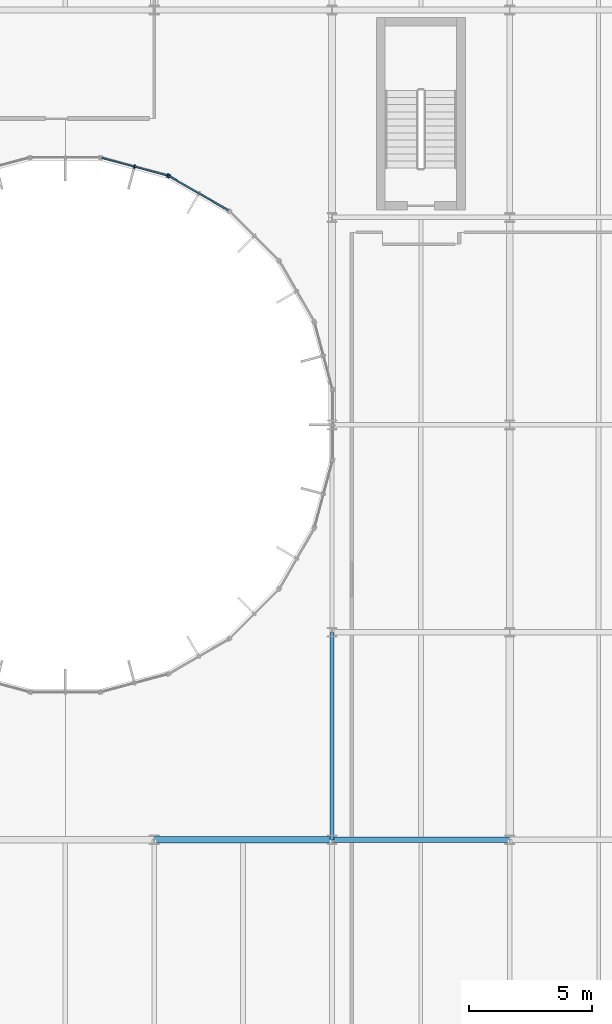
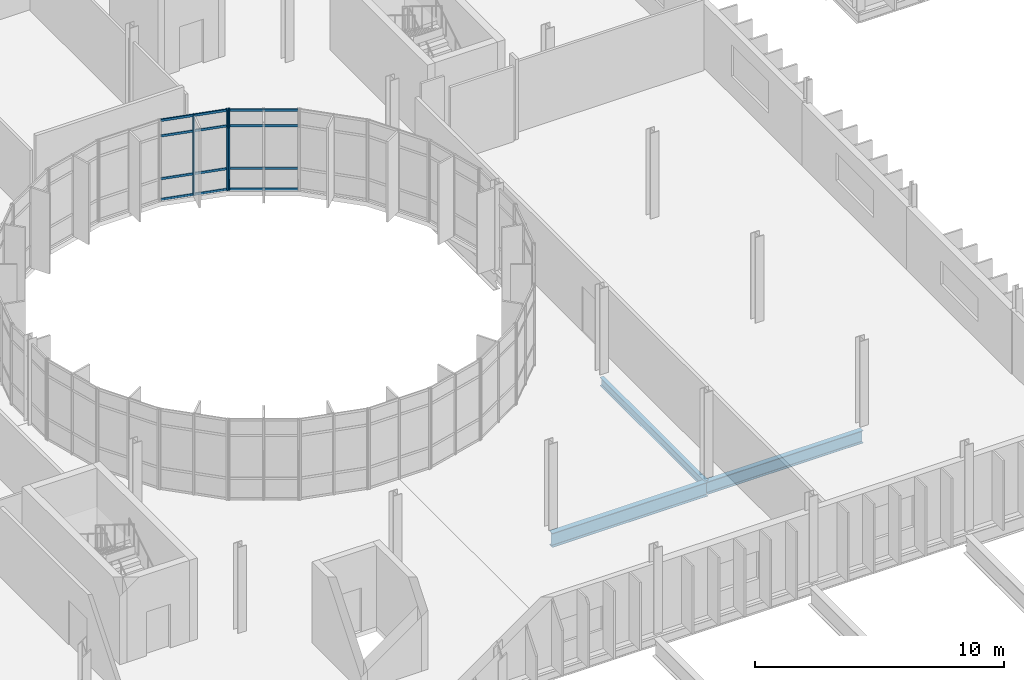
# One storey, part 46 of 119: 11 members, 3 beams, 2 elements without a shape of their own.
"""IFC4 building model written with IfcOpenShell, lengths in metres."""

from ifc_helpers import new_model, si_unit, direction, frame, origin, origin_2d, place, context, subcontext, project, spatial, rectangle, i_section, extrude, material, material_profile, profile_set, type_object, element, aggregate, save


model = new_model("IFC4")

# Units and contexts
model_context = context("Model", 3, precision=1e-05, world=origin(), true_north=direction((0.0, 1.0)))
body_context = subcontext(model_context, "Body", "Model", "MODEL_VIEW")
ifc_project = project(units=[si_unit("LENGTHUNIT", "METRE"), si_unit("AREAUNIT", "SQUARE_METRE"), si_unit("VOLUMEUNIT", "CUBIC_METRE"), si_unit("PLANEANGLEUNIT", "RADIAN"), si_unit("MASSUNIT", "GRAM", prefix="KILO")], contexts=[model_context])

# Site, building, storey
site_placement = place(None, origin())
site = spatial("IfcSite", under=ifc_project, at=site_placement, CompositionType="ELEMENT")
building_placement = place(site_placement, origin())
building = spatial("IfcBuilding", under=site, at=building_placement, Name="Qelthora Terrace Specialist Clinic", CompositionType="ELEMENT")
storey_placement = place(building_placement, frame((0.0, 0.0, 4.800048828125)))
storey = spatial("IfcBuildingStorey", under=building, at=storey_placement, Name="L01", CompositionType="ELEMENT", Elevation=4.800048828125)

# Beams
ifc_material_1 = material(Name="Steel S355", Category="steel")
ifc_material_profile_1 = material_profile(ifc_material_1, i_section(OverallWidth=0.179931640625, OverallDepth=0.4130859375, WebThickness=0.009765625, FlangeThickness=0.01611328125, FilletRadius=0.011962890625, at=origin_2d()), Name="W410X75")
ifc_profile_set_1 = profile_set([ifc_material_profile_1], Name="Steel S355")
beam_type_1 = type_object("IfcBeamType", Name="BM-W410X75", PredefinedType="BEAM", material=ifc_profile_set_1)
beam_1_placement = place(storey_placement, frame((36.0, 67.199951171875, -0.45654296875), z_axis=(0.0, 1.0, 0.0), x_axis=(-1.0, 0.0, 0.0)))
element("IfcBeam", 1, at=beam_1_placement, inside=storey, type_object=beam_type_1, Name="Girder BMY-L01-0399", PredefinedType="BEAM", context=body_context, shape_type="SweptSolid", body=[
    extrude(i_section(OverallWidth=0.179931640625, OverallDepth=0.4130859375, WebThickness=0.009765625, FlangeThickness=0.01611328125, FilletRadius=0.011962890625, at=origin_2d()), origin(), (0.0, 0.0, 1.0), 8.400146484375),
])
ifc_material_profile_2 = material_profile(ifc_material_1, i_section(OverallWidth=0.22998046875, OverallDepth=0.616943359375, WebThickness=0.01318359375, FlangeThickness=0.022216796875, FilletRadius=0.01611328125, at=origin_2d()), Name="W610X140")
ifc_profile_set_2 = profile_set([ifc_material_profile_2], Name="Steel S355")
beam_type_2 = type_object("IfcBeamType", Name="BM-W610X140", PredefinedType="BEAM", material=ifc_profile_set_2)
beam_2_placement = place(storey_placement, frame((36.0, 67.199951171875, -0.55859375), z_axis=(1.0, 0.0, 0.0), x_axis=(0.0, 1.0, 0.0)))
element("IfcBeam", 2, at=beam_2_placement, inside=storey, type_object=beam_type_2, Name="Girder BMX-L01-0255", PredefinedType="BEAM", context=body_context, shape_type="SweptSolid", body=[
    extrude(i_section(OverallWidth=0.22998046875, OverallDepth=0.616943359375, WebThickness=0.01318359375, FlangeThickness=0.022216796875, FilletRadius=0.01611328125, at=origin_2d()), origin(), (0.0, 0.0, 1.0), 7.199951171875),
])
ifc_material_profile_3 = material_profile(ifc_material_1, i_section(OverallWidth=0.25390625, OverallDepth=0.68798828125, WebThickness=0.01318359375, FlangeThickness=0.02099609375, FilletRadius=0.01806640625, at=origin_2d()), Name="W690X152")
ifc_profile_set_3 = profile_set([ifc_material_profile_3], Name="Steel S355")
beam_type_3 = type_object("IfcBeamType", Name="BM-W690X152", PredefinedType="BEAM", material=ifc_profile_set_3)
beam_3_placement = place(storey_placement, frame((28.800048828125, 67.199951171875, -0.593994140625), z_axis=(1.0, 0.0, 0.0), x_axis=(0.0, 1.0, 0.0)))
element("IfcBeam", 3, at=beam_3_placement, inside=storey, type_object=beam_type_3, Name="Girder BMX-L01-0254", PredefinedType="BEAM", context=body_context, shape_type="SweptSolid", body=[
    extrude(i_section(OverallWidth=0.25390625, OverallDepth=0.68798828125, WebThickness=0.01318359375, FlangeThickness=0.02099609375, FilletRadius=0.01806640625, at=origin_2d()), origin(), (0.0, 0.0, 1.0), 7.199951171875),
])

# Curtain wall, member
ifc_material_2 = material(Name="Aluminium anodized bronze", Category="aluminium")
curtain_wall_type = type_object("IfcCurtainWallType", Name="CW-CRTW-UPP", PredefinedType="NOTDEFINED", material=ifc_material_2)
curtain_wall_1_placement = place(storey_placement, origin())
curtain_wall_1 = element("IfcCurtainWall", 4, at=curtain_wall_1_placement, inside=storey, type_object=curtain_wall_type, Name="Curtain wall CW-CW-L01-04", PredefinedType="NOTDEFINED")
ifc_material_profile_4 = material_profile(ifc_material_2, rectangle(XDim=0.06005859375, YDim=0.14990234375, at=origin_2d()), Name="CWM60X150")
ifc_profile_set_4 = profile_set([ifc_material_profile_4], Name="Aluminium anodized bronze")
member_type_1 = type_object("IfcMemberType", Name="CWM-60X150", PredefinedType="MULLION", material=ifc_profile_set_4)
member_1_placement = place(storey_placement, frame((29.410400390625, 94.07177734375, 0.0), z_axis=(0.0, 0.0, 1.0), x_axis=(-0.866025635896, 0.499999597971, 0.0)))
member_1 = element("IfcMember", 5, at=member_1_placement, type_object=member_type_1, Name="CW-CW-L01-04 mullion 3", PredefinedType="MULLION", context=body_context, shape_type="SweptSolid", body=[
    extrude(rectangle(XDim=0.06005859375, YDim=0.14990234375, at=origin_2d()), origin(), (0.0, 0.0, 1.0), 3.945068359375),
])

# Curtain wall, members
curtain_wall_2_placement = place(storey_placement, origin())
curtain_wall_2 = element("IfcCurtainWall", 6, at=curtain_wall_2_placement, inside=storey, type_object=curtain_wall_type, Name="Curtain wall CW-CW-L01-05", PredefinedType="NOTDEFINED")
member_2_placement = place(storey_placement, frame((29.3447265625, 94.098876953125, 0.0), z_axis=(0.0, 0.0, 1.0), x_axis=(-0.96592547477, 0.258820356987, 0.0)))
member_2 = element("IfcMember", 7, at=member_2_placement, type_object=member_type_1, Name="CW-CW-L01-05 mullion 1", PredefinedType="MULLION", context=body_context, shape_type="SweptSolid", body=[
    extrude(rectangle(XDim=0.06005859375, YDim=0.14990234375, at=origin_2d()), origin(), (0.0, 0.0, 1.0), 3.945068359375),
])
member_3_placement = place(storey_placement, frame((28.00244140625, 94.458740234375, 0.0), z_axis=(0.0, 0.0, 1.0), x_axis=(-0.96592547477, 0.258820356987, 0.0)))
member_3 = element("IfcMember", 8, at=member_3_placement, type_object=member_type_1, Name="CW-CW-L01-05 mullion 2", PredefinedType="MULLION", context=body_context, shape_type="SweptSolid", body=[
    extrude(rectangle(XDim=0.06005859375, YDim=0.14990234375, at=origin_2d()), origin(), (0.0, 0.0, 1.0), 3.945068359375),
])

# Member
ifc_material_profile_5 = material_profile(ifc_material_2, rectangle(XDim=0.06005859375, YDim=0.110107421875, at=origin_2d()), Name="CWT60X110")
ifc_profile_set_5 = profile_set([ifc_material_profile_5], Name="Aluminium anodized bronze")
member_type_2 = type_object("IfcMemberType", Name="CWT-60X110", PredefinedType="USERDEFINED", material=ifc_profile_set_5)
member_4_placement = place(storey_placement, frame((31.800048828125, 92.692138671875, 0.0400390625), z_axis=(-0.866029747927, 0.499992475648, 0.0), x_axis=(-0.499992475648, -0.866029747927, 0.0)))
member_4 = element("IfcMember", 9, at=member_4_placement, type_object=member_type_2, Name="CW-CW-L01-04 transom 1", ObjectType="TRANSOM", PredefinedType="USERDEFINED", context=body_context, shape_type="SweptSolid", body=[
    extrude(rectangle(XDim=0.06005859375, YDim=0.110107421875, at=origin_2d()), origin(), (0.0, 0.0, 1.0), 2.7392578125),
])

member_5_placement = place(storey_placement, frame((31.800048828125, 92.692138671875, 1.050048828125), z_axis=(-0.866029747927, 0.499992475648, 0.0), x_axis=(-0.499992475648, -0.866029747927, 0.0)))
member_5 = element("IfcMember", 10, at=member_5_placement, type_object=member_type_2, Name="CW-CW-L01-04 transom 2", ObjectType="TRANSOM", PredefinedType="USERDEFINED", context=body_context, shape_type="SweptSolid", body=[
    extrude(rectangle(XDim=0.06005859375, YDim=0.110107421875, at=origin_2d()), origin(), (0.0, 0.0, 1.0), 2.7392578125),
])

member_6_placement = place(storey_placement, frame((31.800048828125, 92.692138671875, 3.14501953125), z_axis=(-0.866029747927, 0.499992475648, 0.0), x_axis=(-0.499992475648, -0.866029747927, 0.0)))
member_6 = element("IfcMember", 11, at=member_6_placement, type_object=member_type_2, Name="CW-CW-L01-04 transom 3", ObjectType="TRANSOM", PredefinedType="USERDEFINED", context=body_context, shape_type="SweptSolid", body=[
    extrude(rectangle(XDim=0.06005859375, YDim=0.110107421875, at=origin_2d()), origin(), (0.0, 0.0, 1.0), 2.7392578125),
])

member_7_placement = place(storey_placement, frame((31.800048828125, 92.692138671875, 3.905029296875), z_axis=(-0.866029747927, 0.499992475648, 0.0), x_axis=(-0.499992475648, -0.866029747927, 0.0)))
member_7 = element("IfcMember", 12, at=member_7_placement, type_object=member_type_2, Name="CW-CW-L01-04 transom 4", ObjectType="TRANSOM", PredefinedType="USERDEFINED", context=body_context, shape_type="SweptSolid", body=[
    extrude(rectangle(XDim=0.06005859375, YDim=0.110107421875, at=origin_2d()), origin(), (0.0, 0.0, 1.0), 2.7392578125),
])

aggregate(curtain_wall_1, [member_1, member_4, member_5, member_6, member_7])

member_8_placement = place(storey_placement, frame((29.325439453125, 94.104248046875, 0.0400390625), z_axis=(-0.965926569303, 0.258816272122, 0.0), x_axis=(-0.258816272122, -0.965926569303, 0.0)))
member_8 = element("IfcMember", 13, at=member_8_placement, type_object=member_type_2, Name="CW-CW-L01-05 transom 1", ObjectType="TRANSOM", PredefinedType="USERDEFINED", context=body_context, shape_type="SweptSolid", body=[
    extrude(rectangle(XDim=0.06005859375, YDim=0.110107421875, at=origin_2d()), origin(), (0.0, 0.0, 1.0), 2.7392578125),
])

member_9_placement = place(storey_placement, frame((29.325439453125, 94.104248046875, 1.050048828125), z_axis=(-0.965926569303, 0.258816272122, 0.0), x_axis=(-0.258816272122, -0.965926569303, 0.0)))
member_9 = element("IfcMember", 14, at=member_9_placement, type_object=member_type_2, Name="CW-CW-L01-05 transom 2", ObjectType="TRANSOM", PredefinedType="USERDEFINED", context=body_context, shape_type="SweptSolid", body=[
    extrude(rectangle(XDim=0.06005859375, YDim=0.110107421875, at=origin_2d()), origin(), (0.0, 0.0, 1.0), 2.7392578125),
])

member_10_placement = place(storey_placement, frame((29.325439453125, 94.104248046875, 3.14501953125), z_axis=(-0.965926569303, 0.258816272122, 0.0), x_axis=(-0.258816272122, -0.965926569303, 0.0)))
member_10 = element("IfcMember", 15, at=member_10_placement, type_object=member_type_2, Name="CW-CW-L01-05 transom 3", ObjectType="TRANSOM", PredefinedType="USERDEFINED", context=body_context, shape_type="SweptSolid", body=[
    extrude(rectangle(XDim=0.06005859375, YDim=0.110107421875, at=origin_2d()), origin(), (0.0, 0.0, 1.0), 2.7392578125),
])

member_11_placement = place(storey_placement, frame((29.325439453125, 94.104248046875, 3.905029296875), z_axis=(-0.965926569303, 0.258816272122, 0.0), x_axis=(-0.258816272122, -0.965926569303, 0.0)))
member_11 = element("IfcMember", 16, at=member_11_placement, type_object=member_type_2, Name="CW-CW-L01-05 transom 4", ObjectType="TRANSOM", PredefinedType="USERDEFINED", context=body_context, shape_type="SweptSolid", body=[
    extrude(rectangle(XDim=0.06005859375, YDim=0.110107421875, at=origin_2d()), origin(), (0.0, 0.0, 1.0), 2.7392578125),
])

aggregate(curtain_wall_2, [member_2, member_3, member_8, member_9, member_10, member_11])

save(model, "model.ifc")
